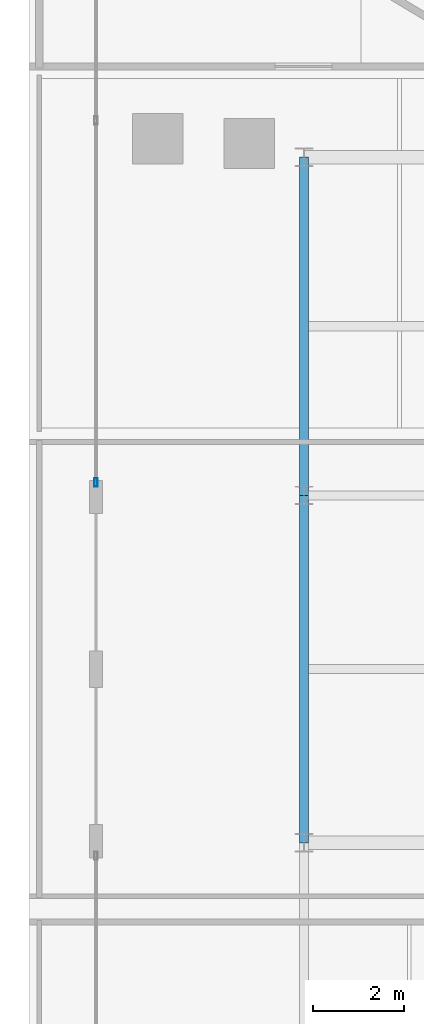
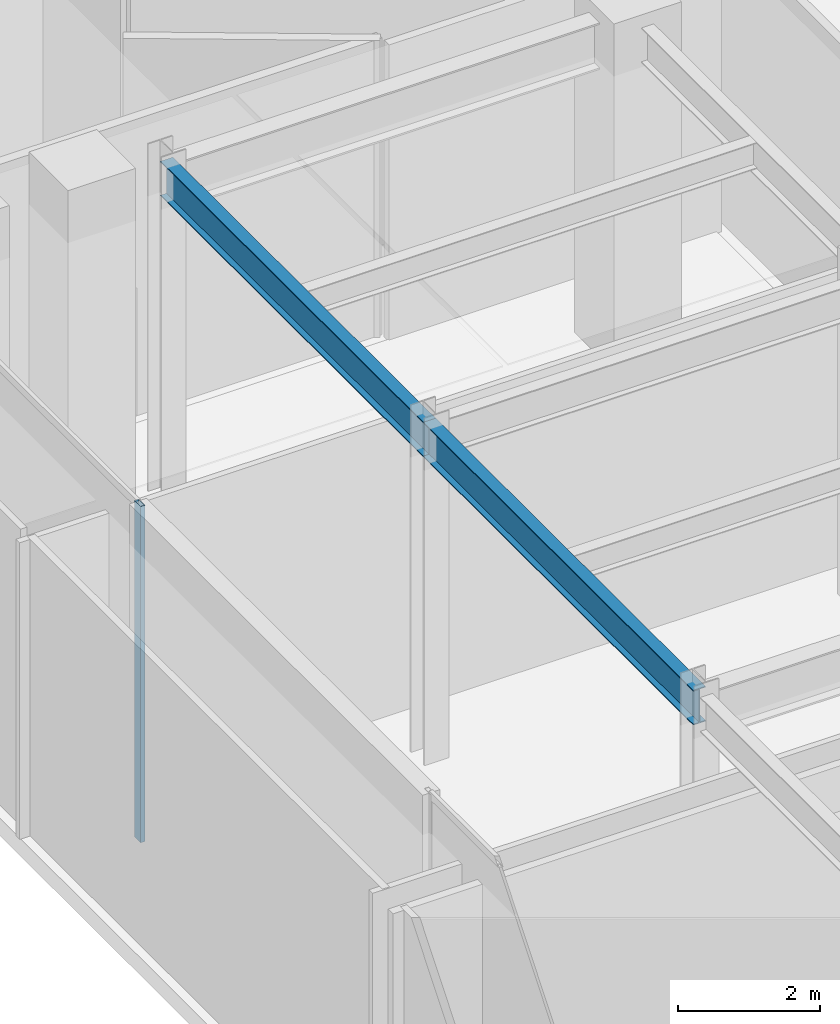
# One storey, part 10 of 40: 2 beams, 1 member, 1 element without a shape of its own.
"""IFC4 building model written with IfcOpenShell, lengths in metres."""

from ifc_helpers import new_model, si_unit, direction, frame, origin, origin_2d, place, context, subcontext, project, spatial, hollow_rectangle, i_section, extrude, material, layer, layer_set, material_profile, profile_set, type_object, element, aggregate, save


model = new_model("IFC4")

# Units and contexts
model_context = context("Model", 3, precision=1e-05, world=origin(), true_north=direction((0.0, 1.0)))
body_context = subcontext(model_context, "Body", "Model", "MODEL_VIEW")
ifc_project = project(units=[si_unit("LENGTHUNIT", "METRE"), si_unit("AREAUNIT", "SQUARE_METRE"), si_unit("VOLUMEUNIT", "CUBIC_METRE"), si_unit("PLANEANGLEUNIT", "RADIAN"), si_unit("MASSUNIT", "GRAM", prefix="KILO")], contexts=[model_context])

# Site, building, storey
site_placement = place(None, origin())
site = spatial("IfcSite", under=ifc_project, at=site_placement, CompositionType="ELEMENT")
building_placement = place(site_placement, origin())
building = spatial("IfcBuilding", under=site, at=building_placement, Name="Qianvela Tower", CompositionType="ELEMENT")
storey_placement = place(building_placement, origin())
storey = spatial("IfcBuildingStorey", under=building, at=storey_placement, Name="L00", CompositionType="ELEMENT", Elevation=0.0)

# Beams
ifc_material_1 = material(Name="Steel Q355B", Category="steel")
ifc_material_profile_1 = material_profile(ifc_material_1, i_section(OverallWidth=0.199951171875, OverallDepth=0.60009765625, WebThickness=0.010986328125, FlangeThickness=0.01708984375, at=origin_2d()), Name="HN600x200x11x17")
ifc_profile_set_1 = profile_set([ifc_material_profile_1], Name="Steel Q355B")
beam_type = type_object("IfcBeamType", Name="BM-HN600-GIRD", PredefinedType="BEAM", material=ifc_profile_set_1)
beam_1_placement = place(storey_placement, frame((7.5, 22.199951171875, 5.47802734375), z_axis=(0.0, 1.0, 0.0), x_axis=(-1.0, 0.0, 0.0)))
element("IfcBeam", 1, at=beam_1_placement, inside=storey, type_object=beam_type, Name="L00 North-South Grid Girder 17", PredefinedType="BEAM", context=body_context, shape_type="SweptSolid", body=[
    extrude(i_section(OverallWidth=0.199951171875, OverallDepth=0.60009765625, WebThickness=0.010986328125, FlangeThickness=0.01708984375, at=origin_2d()), origin(), (0.0, 0.0, 1.0), 7.60009765625),
])
beam_2_placement = place(storey_placement, frame((7.5, 29.800048828125, 5.47802734375), z_axis=(0.0, 1.0, 0.0), x_axis=(-1.0, 0.0, 0.0)))
element("IfcBeam", 2, at=beam_2_placement, inside=storey, type_object=beam_type, Name="L00 North-South Grid Girder 18", PredefinedType="BEAM", context=body_context, shape_type="SweptSolid", body=[
    extrude(i_section(OverallWidth=0.199951171875, OverallDepth=0.60009765625, WebThickness=0.010986328125, FlangeThickness=0.01708984375, at=origin_2d()), origin(), (0.0, 0.0, 1.0), 7.39990234375),
])

# Curtain wall, member
ifc_material_2 = material(Name="Anodised Architectural Aluminium and Low-E Glass", Category="aluminium")
ifc_layer = layer(ifc_material_2, 0.199951171875)
ifc_layer_set = layer_set([ifc_layer], Name="Anodised Architectural Aluminium and Low-E Glass")
curtain_wall_type = type_object("IfcCurtainWallType", Name="CW-CONCOURSE", PredefinedType="USERDEFINED", material=ifc_layer_set)
curtain_wall_placement = place(storey_placement, origin())
curtain_wall = element("IfcCurtainWall", 3, at=curtain_wall_placement, inside=storey, type_object=curtain_wall_type, Name="L00 CW-CONCOURSE Curtain Wall 07A", ObjectType="CURTAIN_WALL_SYSTEM", PredefinedType="USERDEFINED")
ifc_material_3 = material(Name="Anodised Architectural Aluminium 6063-T6", Category="aluminium")
ifc_material_profile_2 = material_profile(ifc_material_3, hollow_rectangle(XDim=0.070068359375, YDim=0.179931640625, WallThickness=0.0048828125, at=origin_2d()), Name="ALU-MULL-70x180")
ifc_profile_set_2 = profile_set([ifc_material_profile_2], Name="Anodised Architectural Aluminium 6063-T6")
member_type = type_object("IfcMemberType", Name="CW-CONCOURSE-MULL", PredefinedType="MULLION", material=ifc_profile_set_2)
member_placement = place(storey_placement, frame((2.949951171875, 30.0849609375, 0.0), z_axis=(0.0, 0.0, 1.0), x_axis=(1.0, 0.0, 0.0)))
member = element("IfcMember", 4, at=member_placement, type_object=member_type, Name="CW-1 mullion 3", PredefinedType="MULLION", context=body_context, shape_type="SweptSolid", body=[
    extrude(hollow_rectangle(XDim=0.070068359375, YDim=0.179931640625, WallThickness=0.0048828125, at=origin_2d()), origin(), (0.0, 0.0, 1.0), 5.780029296875),
])
aggregate(curtain_wall, [member])

save(model, "model.ifc")
